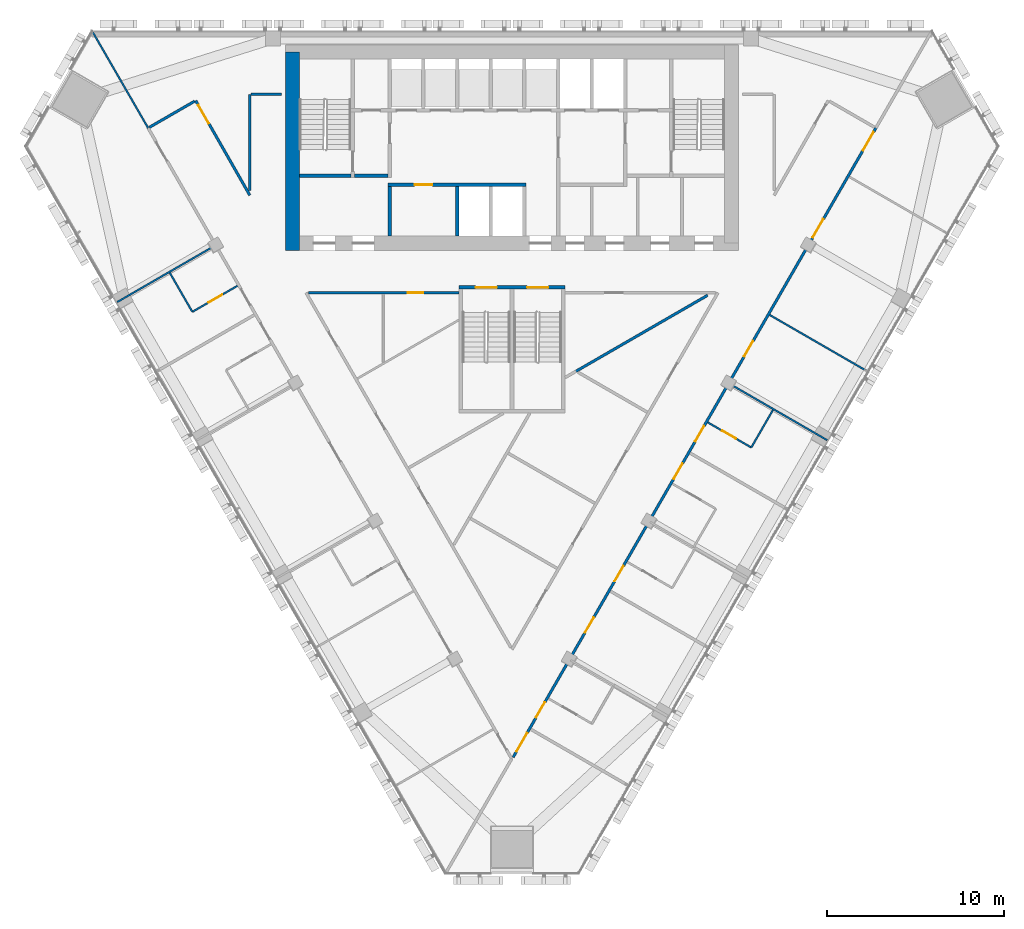
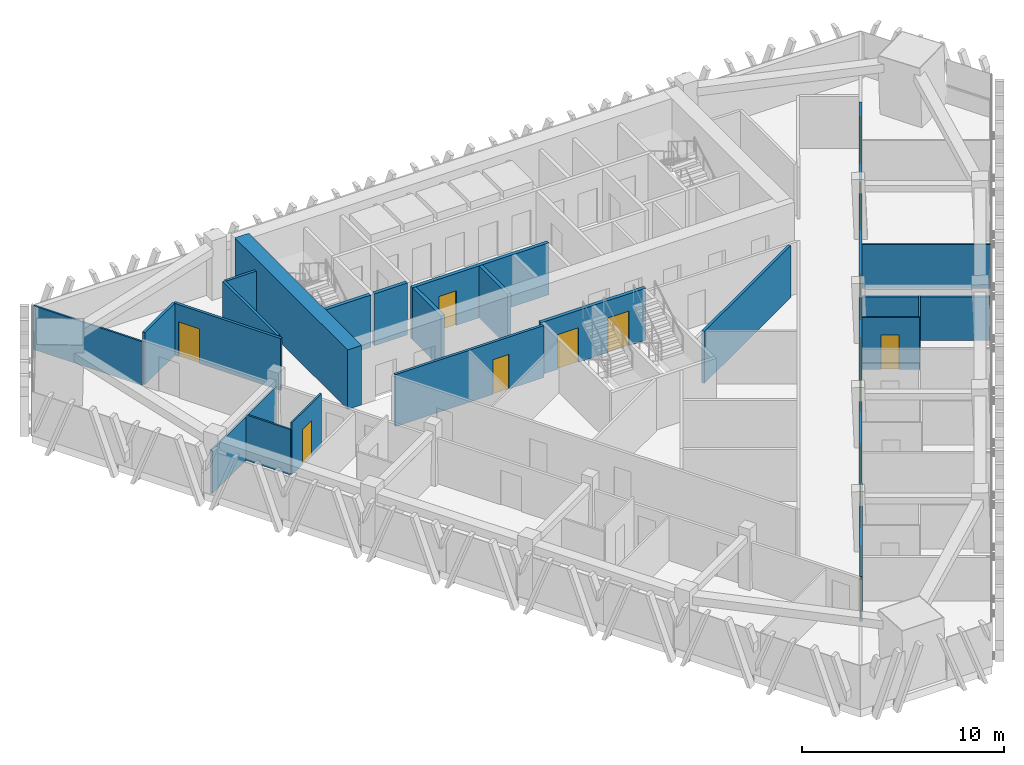
# One storey, part 10 of 15: 22 walls, 16 doors, 16 openings.
"""IFC4 building model written with IfcOpenShell, lengths in metres."""

from ifc_helpers import new_model, si_unit, direction, frame, frame_2d, origin, place, context, subcontext, project, spatial, rectangle, extrude, material, layer, layer_set, type_object, element, fill, save


model = new_model("IFC4")

# Units and contexts
model_context = context("Model", 3, precision=1e-05, world=origin(), true_north=direction((0.0, 1.0)))
body_context = subcontext(model_context, "Body", "Model", "MODEL_VIEW")
ifc_project = project(units=[si_unit("LENGTHUNIT", "METRE"), si_unit("AREAUNIT", "SQUARE_METRE"), si_unit("VOLUMEUNIT", "CUBIC_METRE"), si_unit("PLANEANGLEUNIT", "RADIAN"), si_unit("MASSUNIT", "GRAM", prefix="KILO")], contexts=[model_context])

# Site, building, storey
site_placement = place(None, origin())
site = spatial("IfcSite", under=ifc_project, at=site_placement, CompositionType="ELEMENT")
building_placement = place(site_placement, origin())
building = spatial("IfcBuilding", under=site, at=building_placement, Name="Altiplano Prism Tower", CompositionType="ELEMENT")
storey_placement = place(building_placement, frame((0.0, 0.0, 142.199951171875)))
storey = spatial("IfcBuildingStorey", under=building, at=storey_placement, Name="L36", CompositionType="ELEMENT", Elevation=142.199951171875)

# Wall
ifc_material_1 = material(Name="Concrete C60/75", Category="concrete")
ifc_layer_1 = layer(ifc_material_1, 0.800048828125)
ifc_layer_set_1 = layer_set([ifc_layer_1], Name="Concrete C60/75")
wall_type_1 = type_object("IfcWallType", Name="Core wall 800", PredefinedType="SHEAR", material=ifc_layer_set_1)
wall_1_placement = place(storey_placement, frame((72.60009765625, 103.800048828125, 0.0), z_axis=(0.0, 0.0, 1.0), x_axis=(0.0, -1.0, 0.0)))
element("IfcWall", 1, at=wall_1_placement, inside=storey, type_object=wall_type_1, Name="Core wall W L36", PredefinedType="SHEAR", context=body_context, shape_type="SweptSolid", body=[
    extrude(rectangle(XDim=11.199951171875, YDim=0.800048828125, at=frame_2d((5.60009765625, 0.0))), origin(), (0.0, 0.0, 1.0), 3.60009765625),
])

# Wall, opening, door
ifc_material_2 = material(Name="Plasterboard on steel stud", Category="steel")
ifc_layer_2 = layer(ifc_material_2, 0.10009765625)
ifc_layer_set_2 = layer_set([ifc_layer_2], Name="Plasterboard on steel stud")
wall_type_2 = type_object("IfcWallType", Name="Partition 100 unit", PredefinedType="PARTITIONING", material=ifc_layer_set_2)
wall_2_placement = place(storey_placement, frame((69.5048828125, 90.595947265625, 0.0), z_axis=(0.0, 0.0, 1.0), x_axis=(-0.865995096467, -0.50005249014, 0.0)))
wall_2 = element("IfcWall", 2, at=wall_2_placement, inside=storey, type_object=wall_type_2, Name="Partition P02 L36 022", PredefinedType="PARTITIONING", context=body_context, shape_type="SweptSolid", body=[
    extrude(rectangle(XDim=2.945556640625, YDim=0.10009765625, at=frame_2d((1.47265625, 0.0))), origin(), (0.0, 0.0, 1.0), 3.150146484375),
])
opening_1_placement = place(wall_2_placement, frame((0.9951171875, 0.0, 0.0)))
opening_1 = element("IfcOpeningElement", 3, at=opening_1_placement, cuts=wall_2, Name="Opening D1302", PredefinedType="OPENING", context=body_context, shape_type="SweptSolid", body=[
    extrude(rectangle(XDim=0.89990234375, YDim=2.10009765625, at=frame_2d((0.449951171875, 1.050048828125))), frame((0.0, 0.060546875, 0.0), z_axis=(0.0, -1.0, 0.0), x_axis=(1.0, 0.0, 0.0)), (0.0, 0.0, 1.0), 0.12109375),
])
ifc_material_3 = material(Name="Timber", Category="wood")
door_type_1 = type_object("IfcDoorType", Name="Ensuite door 900 x 2100", OperationType="NOTDEFINED", PredefinedType="NOTDEFINED", material=ifc_material_3)
door_1_placement = place(opening_1_placement, origin())
door_1 = element("IfcDoor", 4, at=door_1_placement, inside=storey, type_object=door_type_1, Name="Door D1302", OperationType="SINGLE_SWING_RIGHT", OverallHeight=2.10009765625, OverallWidth=0.89990234375, PredefinedType="NOTDEFINED", context=body_context, shape_type="SweptSolid", body=[
    extrude(rectangle(XDim=0.89990234375, YDim=2.10009765625, at=frame_2d((0.449951171875, 1.050048828125))), frame((0.0, 0.02490234375, 0.0), z_axis=(0.0, -1.0, 0.0), x_axis=(1.0, 0.0, 0.0)), (0.0, 0.0, 1.0), 0.050048828125),
])
fill(opening_1, door_1)

# Walls
wall_3_placement = place(storey_placement, frame((66.9541015625, 89.123046875, 0.0), z_axis=(0.0, 0.0, 1.0), x_axis=(-0.499948979701, 0.866054858364, 0.0)))
element("IfcWall", 5, at=wall_3_placement, inside=storey, type_object=wall_type_2, Name="Partition P02 L36 023", PredefinedType="PARTITIONING", context=body_context, shape_type="SweptSolid", body=[
    extrude(rectangle(XDim=2.550048828125, YDim=0.10009765625, at=frame_2d((1.27490234375, 0.0))), origin(), (0.0, 0.0, 1.0), 2.75),
])
wall_4_placement = place(storey_placement, frame((99.734130859375, 83.58740234375, 0.0), z_axis=(0.0, 0.0, 1.0), x_axis=(-0.499943856944, -0.866057815567, 0.0)))
element("IfcWall", 6, at=wall_4_placement, inside=storey, type_object=wall_type_2, Name="Partition P02 L36 047", PredefinedType="PARTITIONING", context=body_context, shape_type="SweptSolid", body=[
    extrude(rectangle(XDim=2.449951171875, YDim=0.10009765625, at=frame_2d((1.22509765625, 0.0))), origin(), (0.0, 0.0, 1.0), 2.75),
])

# Wall, opening, door
wall_5_placement = place(storey_placement, frame((98.50927734375, 81.465576171875, 0.0), z_axis=(0.0, 0.0, 1.0), x_axis=(-0.866049574308, 0.499958133088, 0.0)))
wall_5 = element("IfcWall", 7, at=wall_5_placement, inside=storey, type_object=wall_type_2, Name="Partition P02 L36 048", PredefinedType="PARTITIONING", context=body_context, shape_type="SweptSolid", body=[
    extrude(rectangle(XDim=2.839599609375, YDim=0.10009765625, at=frame_2d((1.419921875, 0.0))), origin(), (0.0, 0.0, 1.0), 3.150146484375),
])
opening_2_placement = place(wall_5_placement, frame((1.0, 0.0, 0.0)))
opening_2 = element("IfcOpeningElement", 8, at=opening_2_placement, cuts=wall_5, Name="Opening D1319", PredefinedType="OPENING", context=body_context, shape_type="SweptSolid", body=[
    extrude(rectangle(XDim=0.89990234375, YDim=2.10009765625, at=frame_2d((0.449951171875, 1.050048828125))), frame((0.0, 0.060546875, 0.0), z_axis=(0.0, -1.0, 0.0), x_axis=(1.0, 0.0, 0.0)), (0.0, 0.0, 1.0), 0.12109375),
])
door_2_placement = place(opening_2_placement, origin())
door_2 = element("IfcDoor", 9, at=door_2_placement, inside=storey, type_object=door_type_1, Name="Door D1319", OperationType="SINGLE_SWING_LEFT", OverallHeight=2.10009765625, OverallWidth=0.89990234375, PredefinedType="NOTDEFINED", context=body_context, shape_type="SweptSolid", body=[
    extrude(rectangle(XDim=0.89990234375, YDim=2.10009765625, at=frame_2d((0.449951171875, 1.050048828125))), frame((0.0, 0.02490234375, 0.0), z_axis=(0.0, -1.0, 0.0), x_axis=(1.0, 0.0, 0.0)), (0.0, 0.0, 1.0), 0.050048828125),
])
fill(opening_2, door_2)

# Walls
ifc_layer_3 = layer(ifc_material_2, 0.10009765625)
ifc_layer_set_3 = layer_set([ifc_layer_3], Name="Plasterboard on steel stud")
wall_type_3 = type_object("IfcWallType", Name="Partition 100 wet", PredefinedType="PARTITIONING", material=ifc_layer_set_3)
wall_6_placement = place(storey_placement, frame((62.709716796875, 89.6748046875, 0.0), z_axis=(0.0, 0.0, 1.0), x_axis=(0.866026091839, 0.499998808253, 0.0)))
element("IfcWall", 10, at=wall_6_placement, inside=storey, type_object=wall_type_3, Name="Partition P03 L36 020", PredefinedType="PARTITIONING", context=body_context, shape_type="SweptSolid", body=[
    extrude(rectangle(XDim=6.34716796875, YDim=0.10009765625, at=frame_2d((3.173583984375, 0.0))), origin(), (0.0, 0.0, 1.0), 2.650146484375),
])
wall_7_placement = place(storey_placement, frame((64.458251953125, 99.5009765625, 0.0), z_axis=(0.0, 0.0, 1.0), x_axis=(-0.500013984911, 0.866017329442, 0.0)))
element("IfcWall", 11, at=wall_7_placement, inside=storey, type_object=wall_type_3, Name="Partition P03 L36 021", PredefinedType="PARTITIONING", context=body_context, shape_type="SweptSolid", body=[
    extrude(rectangle(XDim=6.234130859375, YDim=0.10009765625, at=frame_2d((3.1171875, 0.0))), origin(), (0.0, 0.0, 1.0), 2.650146484375),
])
wall_8_placement = place(storey_placement, frame((102.790283203125, 81.880615234375, 0.0), z_axis=(0.0, 0.0, 1.0), x_axis=(-0.866024019333, 0.500002397932, 0.0)))
element("IfcWall", 12, at=wall_8_placement, inside=storey, type_object=wall_type_3, Name="Partition P03 L36 049", PredefinedType="PARTITIONING", context=body_context, shape_type="SweptSolid", body=[
    extrude(rectangle(XDim=6.34130859375, YDim=0.10009765625, at=frame_2d((3.170654296875, 0.0))), origin(), (0.0, 0.0, 1.0), 2.650146484375),
])
wall_9_placement = place(storey_placement, frame((105.057861328125, 85.767578125, 0.0), z_axis=(0.0, 0.0, 1.0), x_axis=(-0.866029717158, 0.499992528944, 0.0)))
element("IfcWall", 13, at=wall_9_placement, inside=storey, type_object=wall_type_3, Name="Partition P03 L36 050", PredefinedType="PARTITIONING", context=body_context, shape_type="SweptSolid", body=[
    extrude(rectangle(XDim=6.3642578125, YDim=0.10009765625, at=frame_2d((3.18212890625, 0.0))), origin(), (0.0, 0.0, 1.0), 2.650146484375),
])

# Wall, opening, door
ifc_layer_4 = layer(ifc_material_2, 0.14990234375)
ifc_layer_set_4 = layer_set([ifc_layer_4], Name="Plasterboard on steel stud")
wall_type_4 = type_object("IfcWallType", Name="Partition 150 corridor", PredefinedType="PARTITIONING", material=ifc_layer_set_4)
wall_10_placement = place(storey_placement, frame((73.5078125, 90.198974609375, 0.0), z_axis=(0.0, 0.0, 1.0), x_axis=(1.0, 0.0, 0.0)))
wall_10 = element("IfcWall", 14, at=wall_10_placement, inside=storey, type_object=wall_type_4, Name="Partition P06 L36 001", PredefinedType="PARTITIONING", context=body_context, shape_type="SweptSolid", body=[
    extrude(rectangle(XDim=8.4921875, YDim=0.14990234375, at=frame_2d((4.24609375, 0.0))), origin(), (0.0, 0.0, 1.0), 3.150146484375),
])
opening_3_placement = place(wall_10_placement, frame((5.593017578125, 0.0, 0.0)))
opening_3 = element("IfcOpeningElement", 15, at=opening_3_placement, cuts=wall_10, Name="Opening D1296", PredefinedType="OPENING", context=body_context, shape_type="SweptSolid", body=[
    extrude(rectangle(XDim=0.89990234375, YDim=2.10009765625, at=frame_2d((0.449951171875, 1.050048828125))), frame((0.0, 0.08544921875, 0.0), z_axis=(0.0, -1.0, 0.0), x_axis=(1.0, 0.0, 0.0)), (0.0, 0.0, 1.0), 0.1708984375),
])
door_type_2 = type_object("IfcDoorType", Name="Toilet door 900 x 2100", OperationType="NOTDEFINED", PredefinedType="NOTDEFINED", material=ifc_material_3)
door_3_placement = place(opening_3_placement, origin())
door_3 = element("IfcDoor", 16, at=door_3_placement, inside=storey, type_object=door_type_2, Name="Door D1296", OperationType="SINGLE_SWING_RIGHT", OverallHeight=2.10009765625, OverallWidth=0.89990234375, PredefinedType="NOTDEFINED", context=body_context, shape_type="SweptSolid", body=[
    extrude(rectangle(XDim=0.89990234375, YDim=2.10009765625, at=frame_2d((0.449951171875, 1.050048828125))), frame((0.0, 0.02490234375, 0.0), z_axis=(0.0, -1.0, 0.0), x_axis=(1.0, 0.0, 0.0)), (0.0, 0.0, 1.0), 0.050048828125),
])
fill(opening_3, door_3)

# Wall, openings, doors
wall_11_placement = place(storey_placement, frame((85.06494140625, 63.979736328125, 0.0), z_axis=(0.0, 0.0, 1.0), x_axis=(0.499427357949, 0.866355766491, 0.0)))
wall_11 = element("IfcWall", 17, at=wall_11_placement, inside=storey, type_object=wall_type_4, Name="Partition P06 L36 005", PredefinedType="PARTITIONING", context=body_context, shape_type="SweptSolid", body=[
    extrude(rectangle(XDim=41.01953125, YDim=0.14990234375, at=frame_2d((20.509765625, 0.0))), origin(), (0.0, 0.0, 1.0), 2.75),
])
opening_4_placement = place(wall_11_placement, frame((0.382080078125, 0.0, 0.0)))
opening_4 = element("IfcOpeningElement", 18, at=opening_4_placement, cuts=wall_11, Name="Opening D1310", PredefinedType="OPENING", context=body_context, shape_type="SweptSolid", body=[
    extrude(rectangle(XDim=1.199951171875, YDim=2.10009765625, at=frame_2d((0.60009765625, 1.050048828125))), frame((0.0, 0.08544921875, 0.0), z_axis=(0.0, -1.0, 0.0), x_axis=(1.0, 0.0, 0.0)), (0.0, 0.0, 1.0), 0.1708984375),
])
opening_5_placement = place(wall_11_placement, frame((2.5830078125, 0.0, 0.0)))
opening_5 = element("IfcOpeningElement", 19, at=opening_5_placement, cuts=wall_11, Name="Opening D1311", PredefinedType="OPENING", context=body_context, shape_type="SweptSolid", body=[
    extrude(rectangle(XDim=1.0, YDim=2.10009765625, at=frame_2d((0.5, 1.050048828125))), frame((0.0, 0.08544921875, 0.0), z_axis=(0.0, -1.0, 0.0), x_axis=(1.0, 0.0, 0.0)), (0.0, 0.0, 1.0), 0.1708984375),
])
opening_6_placement = place(wall_11_placement, frame((8.113037109375, 0.0, 0.0)))
opening_6 = element("IfcOpeningElement", 20, at=opening_6_placement, cuts=wall_11, Name="Opening D1313", PredefinedType="OPENING", context=body_context, shape_type="SweptSolid", body=[
    extrude(rectangle(XDim=1.0, YDim=2.10009765625, at=frame_2d((0.5, 1.050048828125))), frame((0.0, 0.08544921875, 0.0), z_axis=(0.0, -1.0, 0.0), x_axis=(1.0, 0.0, 0.0)), (0.0, 0.0, 1.0), 0.1708984375),
])
opening_7_placement = place(wall_11_placement, frame((11.467041015625, 0.0, 0.0)))
opening_7 = element("IfcOpeningElement", 21, at=opening_7_placement, cuts=wall_11, Name="Opening D1314", PredefinedType="OPENING", context=body_context, shape_type="SweptSolid", body=[
    extrude(rectangle(XDim=1.0, YDim=2.10009765625, at=frame_2d((0.5, 1.050048828125))), frame((0.0, 0.08544921875, 0.0), z_axis=(0.0, -1.0, 0.0), x_axis=(1.0, 0.0, 0.0)), (0.0, 0.0, 1.0), 0.1708984375),
])
opening_8_placement = place(wall_11_placement, frame((18.14208984375, 0.0, 0.0)))
opening_8 = element("IfcOpeningElement", 22, at=opening_8_placement, cuts=wall_11, Name="Opening D1316", PredefinedType="OPENING", context=body_context, shape_type="SweptSolid", body=[
    extrude(rectangle(XDim=1.0, YDim=2.10009765625, at=frame_2d((0.5, 1.050048828125))), frame((0.0, 0.08544921875, 0.0), z_axis=(0.0, -1.0, 0.0), x_axis=(1.0, 0.0, 0.0)), (0.0, 0.0, 1.0), 0.1708984375),
])
opening_9_placement = place(wall_11_placement, frame((20.5830078125, 0.0, 0.0)))
opening_9 = element("IfcOpeningElement", 23, at=opening_9_placement, cuts=wall_11, Name="Opening D1318", PredefinedType="OPENING", context=body_context, shape_type="SweptSolid", body=[
    extrude(rectangle(XDim=1.0, YDim=2.10009765625, at=frame_2d((0.5, 1.050048828125))), frame((0.0, 0.08544921875, 0.0), z_axis=(0.0, -1.0, 0.0), x_axis=(1.0, 0.0, 0.0)), (0.0, 0.0, 1.0), 0.1708984375),
])
opening_10_placement = place(wall_11_placement, frame((26.113037109375, 0.0, 0.0)))
opening_10 = element("IfcOpeningElement", 24, at=opening_10_placement, cuts=wall_11, Name="Opening D1320", PredefinedType="OPENING", context=body_context, shape_type="SweptSolid", body=[
    extrude(rectangle(XDim=1.0, YDim=2.10009765625, at=frame_2d((0.5, 1.050048828125))), frame((0.0, 0.08544921875, 0.0), z_axis=(0.0, -1.0, 0.0), x_axis=(1.0, 0.0, 0.0)), (0.0, 0.0, 1.0), 0.1708984375),
])
opening_11_placement = place(wall_11_placement, frame((33.863037109375, 0.0, 0.0)))
opening_11 = element("IfcOpeningElement", 25, at=opening_11_placement, cuts=wall_11, Name="Opening D1321", PredefinedType="OPENING", context=body_context, shape_type="SweptSolid", body=[
    extrude(rectangle(XDim=1.199951171875, YDim=2.10009765625, at=frame_2d((0.60009765625, 1.050048828125))), frame((0.0, 0.08544921875, 0.0), z_axis=(0.0, -1.0, 0.0), x_axis=(1.0, 0.0, 0.0)), (0.0, 0.0, 1.0), 0.1708984375),
])
opening_12_placement = place(wall_11_placement, frame((39.544921875, 0.0, 0.0)))
opening_12 = element("IfcOpeningElement", 26, at=opening_12_placement, cuts=wall_11, Name="Opening D1322", PredefinedType="OPENING", context=body_context, shape_type="SweptSolid", body=[
    extrude(rectangle(XDim=1.199951171875, YDim=2.10009765625, at=frame_2d((0.60009765625, 1.050048828125))), frame((0.0, 0.08544921875, 0.0), z_axis=(0.0, -1.0, 0.0), x_axis=(1.0, 0.0, 0.0)), (0.0, 0.0, 1.0), 0.1708984375),
])
door_type_3 = type_object("IfcDoorType", Name="Bedroom entrance door 1000 x 2100", OperationType="NOTDEFINED", PredefinedType="NOTDEFINED", material=ifc_material_3)
door_4_placement = place(opening_5_placement, origin())
door_4 = element("IfcDoor", 27, at=door_4_placement, inside=storey, type_object=door_type_3, Name="Door D1311", OperationType="SINGLE_SWING_RIGHT", OverallHeight=2.10009765625, OverallWidth=1.0, PredefinedType="NOTDEFINED", context=body_context, shape_type="SweptSolid", body=[
    extrude(rectangle(XDim=1.0, YDim=2.10009765625, at=frame_2d((0.5, 1.050048828125))), frame((0.0, 0.02490234375, 0.0), z_axis=(0.0, -1.0, 0.0), x_axis=(1.0, 0.0, 0.0)), (0.0, 0.0, 1.0), 0.050048828125),
])
fill(opening_5, door_4)
door_5_placement = place(opening_7_placement, origin())
door_5 = element("IfcDoor", 28, at=door_5_placement, inside=storey, type_object=door_type_3, Name="Door D1314", OperationType="SINGLE_SWING_LEFT", OverallHeight=2.10009765625, OverallWidth=1.0, PredefinedType="NOTDEFINED", context=body_context, shape_type="SweptSolid", body=[
    extrude(rectangle(XDim=1.0, YDim=2.10009765625, at=frame_2d((0.5, 1.050048828125))), frame((0.0, 0.02490234375, 0.0), z_axis=(0.0, -1.0, 0.0), x_axis=(1.0, 0.0, 0.0)), (0.0, 0.0, 1.0), 0.050048828125),
])
fill(opening_7, door_5)
door_6_placement = place(opening_8_placement, origin())
door_6 = element("IfcDoor", 29, at=door_6_placement, inside=storey, type_object=door_type_3, Name="Door D1316", OperationType="SINGLE_SWING_LEFT", OverallHeight=2.10009765625, OverallWidth=1.0, PredefinedType="NOTDEFINED", context=body_context, shape_type="SweptSolid", body=[
    extrude(rectangle(XDim=1.0, YDim=2.10009765625, at=frame_2d((0.5, 1.050048828125))), frame((0.0, 0.02490234375, 0.0), z_axis=(0.0, -1.0, 0.0), x_axis=(1.0, 0.0, 0.0)), (0.0, 0.0, 1.0), 0.050048828125),
])
fill(opening_8, door_6)
door_7_placement = place(opening_9_placement, origin())
door_7 = element("IfcDoor", 30, at=door_7_placement, inside=storey, type_object=door_type_3, Name="Door D1318", OperationType="SINGLE_SWING_LEFT", OverallHeight=2.10009765625, OverallWidth=1.0, PredefinedType="NOTDEFINED", context=body_context, shape_type="SweptSolid", body=[
    extrude(rectangle(XDim=1.0, YDim=2.10009765625, at=frame_2d((0.5, 1.050048828125))), frame((0.0, 0.02490234375, 0.0), z_axis=(0.0, -1.0, 0.0), x_axis=(1.0, 0.0, 0.0)), (0.0, 0.0, 1.0), 0.050048828125),
])
fill(opening_9, door_7)
door_type_4 = type_object("IfcDoorType", Name="Room door 1000 x 2100", OperationType="NOTDEFINED", PredefinedType="NOTDEFINED", material=ifc_material_3)
door_8_placement = place(opening_6_placement, origin())
door_8 = element("IfcDoor", 31, at=door_8_placement, inside=storey, type_object=door_type_4, Name="Door D1313", OperationType="SINGLE_SWING_LEFT", OverallHeight=2.10009765625, OverallWidth=1.0, PredefinedType="NOTDEFINED", context=body_context, shape_type="SweptSolid", body=[
    extrude(rectangle(XDim=1.0, YDim=2.10009765625, at=frame_2d((0.5, 1.050048828125))), frame((0.0, 0.02490234375, 0.0), z_axis=(0.0, -1.0, 0.0), x_axis=(1.0, 0.0, 0.0)), (0.0, 0.0, 1.0), 0.050048828125),
])
fill(opening_6, door_8)
door_9_placement = place(opening_10_placement, origin())
door_9 = element("IfcDoor", 32, at=door_9_placement, inside=storey, type_object=door_type_4, Name="Door D1320", OperationType="SINGLE_SWING_RIGHT", OverallHeight=2.10009765625, OverallWidth=1.0, PredefinedType="NOTDEFINED", context=body_context, shape_type="SweptSolid", body=[
    extrude(rectangle(XDim=1.0, YDim=2.10009765625, at=frame_2d((0.5, 1.050048828125))), frame((0.0, 0.02490234375, 0.0), z_axis=(0.0, -1.0, 0.0), x_axis=(1.0, 0.0, 0.0)), (0.0, 0.0, 1.0), 0.050048828125),
])
fill(opening_10, door_9)
door_type_5 = type_object("IfcDoorType", Name="Shared room door 1200 x 2100", OperationType="NOTDEFINED", PredefinedType="NOTDEFINED", material=ifc_material_3)
door_10_placement = place(opening_4_placement, origin())
door_10 = element("IfcDoor", 33, at=door_10_placement, inside=storey, type_object=door_type_5, Name="Door D1310", OperationType="SINGLE_SWING_RIGHT", OverallHeight=2.10009765625, OverallWidth=1.199951171875, PredefinedType="NOTDEFINED", context=body_context, shape_type="SweptSolid", body=[
    extrude(rectangle(XDim=1.199951171875, YDim=2.10009765625, at=frame_2d((0.60009765625, 1.050048828125))), frame((0.0, 0.02490234375, 0.0), z_axis=(0.0, -1.0, 0.0), x_axis=(1.0, 0.0, 0.0)), (0.0, 0.0, 1.0), 0.050048828125),
])
fill(opening_4, door_10)
door_11_placement = place(opening_11_placement, origin())
door_11 = element("IfcDoor", 34, at=door_11_placement, inside=storey, type_object=door_type_5, Name="Door D1321", OperationType="SINGLE_SWING_RIGHT", OverallHeight=2.10009765625, OverallWidth=1.199951171875, PredefinedType="NOTDEFINED", context=body_context, shape_type="SweptSolid", body=[
    extrude(rectangle(XDim=1.199951171875, YDim=2.10009765625, at=frame_2d((0.60009765625, 1.050048828125))), frame((0.0, 0.02490234375, 0.0), z_axis=(0.0, -1.0, 0.0), x_axis=(1.0, 0.0, 0.0)), (0.0, 0.0, 1.0), 0.050048828125),
])
fill(opening_11, door_11)
door_12_placement = place(opening_12_placement, origin())
door_12 = element("IfcDoor", 35, at=door_12_placement, inside=storey, type_object=door_type_5, Name="Door D1322", OperationType="SINGLE_SWING_RIGHT", OverallHeight=2.10009765625, OverallWidth=1.199951171875, PredefinedType="NOTDEFINED", context=body_context, shape_type="SweptSolid", body=[
    extrude(rectangle(XDim=1.199951171875, YDim=2.10009765625, at=frame_2d((0.60009765625, 1.050048828125))), frame((0.0, 0.02490234375, 0.0), z_axis=(0.0, -1.0, 0.0), x_axis=(1.0, 0.0, 0.0)), (0.0, 0.0, 1.0), 0.050048828125),
])
fill(opening_12, door_12)

# Walls
wall_12_placement = place(storey_placement, frame((72.0, 101.40087890625, 0.0), z_axis=(0.0, 0.0, 1.0), x_axis=(-0.999999959988, -0.00028288542, 0.0)))
element("IfcWall", 36, at=wall_12_placement, inside=storey, type_object=wall_type_4, Name="Partition P06 L36 010", PredefinedType="PARTITIONING", context=body_context, shape_type="SweptSolid", body=[
    extrude(rectangle(XDim=1.72607421875, YDim=0.14990234375, at=frame_2d((0.863037109375, 0.0))), origin(), (0.0, 0.0, 1.0), 3.150146484375),
])
wall_13_placement = place(storey_placement, frame((70.198974609375, 101.400390625, 0.0), z_axis=(0.0, 0.0, 1.0), x_axis=(0.0, -1.0, 0.0)))
element("IfcWall", 37, at=wall_13_placement, inside=storey, type_object=wall_type_4, Name="Partition P06 L36 011", PredefinedType="PARTITIONING", context=body_context, shape_type="SweptSolid", body=[
    extrude(rectangle(XDim=5.4130859375, YDim=0.14990234375, at=frame_2d((2.70654296875, 0.0))), origin(), (0.0, 0.0, 1.0), 3.150146484375),
])

# Wall, opening, door
wall_14_placement = place(storey_placement, frame((70.198974609375, 95.705078125, 0.0), z_axis=(0.0, 0.0, 1.0), x_axis=(-0.496198719424, 0.868208978784, 0.0)))
wall_14 = element("IfcWall", 38, at=wall_14_placement, inside=storey, type_object=wall_type_4, Name="Partition P06 L36 012", PredefinedType="PARTITIONING", context=body_context, shape_type="SweptSolid", body=[
    extrude(rectangle(XDim=6.1572265625, YDim=0.14990234375, at=frame_2d((3.07861328125, 0.0))), origin(), (0.0, 0.0, 1.0), 3.150146484375),
])
opening_13_placement = place(wall_14_placement, frame((4.6630859375, 0.0, 0.0)))
opening_13 = element("IfcOpeningElement", 39, at=opening_13_placement, cuts=wall_14, Name="Opening D1324", PredefinedType="OPENING", context=body_context, shape_type="SweptSolid", body=[
    extrude(rectangle(XDim=1.199951171875, YDim=2.10009765625, at=frame_2d((0.60009765625, 1.050048828125))), frame((0.0, 0.08544921875, 0.0), z_axis=(0.0, -1.0, 0.0), x_axis=(1.0, 0.0, 0.0)), (0.0, 0.0, 1.0), 0.1708984375),
])
door_13_placement = place(opening_13_placement, origin())
door_13 = element("IfcDoor", 40, at=door_13_placement, inside=storey, type_object=door_type_5, Name="Door D1324", OperationType="SINGLE_SWING_LEFT", OverallHeight=2.10009765625, OverallWidth=1.199951171875, PredefinedType="NOTDEFINED", context=body_context, shape_type="SweptSolid", body=[
    extrude(rectangle(XDim=1.199951171875, YDim=2.10009765625, at=frame_2d((0.60009765625, 1.050048828125))), frame((0.0, 0.02490234375, 0.0), z_axis=(0.0, -1.0, 0.0), x_axis=(1.0, 0.0, 0.0)), (0.0, 0.0, 1.0), 0.050048828125),
])
fill(opening_13, door_13)

# Walls
wall_15_placement = place(storey_placement, frame((67.07861328125, 101.01318359375, 0.0), z_axis=(0.0, 0.0, 1.0), x_axis=(-0.866101542152, -0.499868101284, 0.0)))
element("IfcWall", 41, at=wall_15_placement, inside=storey, type_object=wall_type_4, Name="Partition P06 L36 013", PredefinedType="PARTITIONING", context=body_context, shape_type="SweptSolid", body=[
    extrude(rectangle(XDim=2.950439453125, YDim=0.14990234375, at=frame_2d((1.47509765625, 0.0))), origin(), (0.0, 0.0, 1.0), 3.150146484375),
])
ifc_layer_5 = layer(ifc_material_2, 0.14990234375)
ifc_layer_set_5 = layer_set([ifc_layer_5], Name="Plasterboard on steel stud")
wall_type_5 = type_object("IfcWallType", Name="Partition 150 party", PredefinedType="PARTITIONING", material=ifc_layer_set_5)
wall_16_placement = place(storey_placement, frame((96.042724609375, 90.05908203125, 0.0), z_axis=(0.0, 0.0, 1.0), x_axis=(-0.86602320337, -0.50000381121, 0.0)))
element("IfcWall", 42, at=wall_16_placement, inside=storey, type_object=wall_type_5, Name="Partition P01 L36 017", PredefinedType="PARTITIONING", context=body_context, shape_type="SweptSolid", body=[
    extrude(rectangle(XDim=8.587890625, YDim=0.14990234375, at=frame_2d((4.2939453125, 0.0))), origin(), (0.0, 0.0, 1.0), 3.150146484375),
])
ifc_layer_6 = layer(ifc_material_1, 0.199951171875)
ifc_layer_set_6 = layer_set([ifc_layer_6], Name="Concrete C60/75")
wall_type_6 = type_object("IfcWallType", Name="Shaft wall 200", PredefinedType="SOLIDWALL", material=ifc_layer_set_6)
wall_17_placement = place(storey_placement, frame((81.89990234375, 93.39990234375, 0.0), z_axis=(0.0, 0.0, 1.0), x_axis=(0.0, 1.0, 0.0)))
element("IfcWall", 43, at=wall_17_placement, inside=storey, type_object=wall_type_6, Name="Shaft wall L36", PredefinedType="SOLIDWALL", context=body_context, shape_type="SweptSolid", body=[
    extrude(rectangle(XDim=2.800048828125, YDim=0.199951171875, at=frame_2d((1.39990234375, 0.0))), origin(), (0.0, 0.0, 1.0), 3.150146484375),
])

# Wall, opening, door
wall_18_placement = place(storey_placement, frame((78.0, 96.300048828125, 0.0), z_axis=(0.0, 0.0, 1.0), x_axis=(1.0, 0.0, 0.0)))
wall_18 = element("IfcWall", 44, at=wall_18_placement, inside=storey, type_object=wall_type_6, Name="Shaft wall L36", PredefinedType="SOLIDWALL", context=body_context, shape_type="SweptSolid", body=[
    extrude(rectangle(XDim=7.800048828125, YDim=0.199951171875, at=frame_2d((3.89990234375, 0.0))), origin(), (0.0, 0.0, 1.0), 3.150146484375),
])
opening_14_placement = place(wall_18_placement, frame((1.5, 0.0, 0.0)))
opening_14 = element("IfcOpeningElement", 45, at=opening_14_placement, cuts=wall_18, Name="Opening D3081", PredefinedType="OPENING", context=body_context, shape_type="SweptSolid", body=[
    extrude(rectangle(XDim=1.0, YDim=2.10009765625, at=frame_2d((0.5, 1.050048828125))), frame((0.0, 0.1103515625, 0.0), z_axis=(0.0, -1.0, 0.0), x_axis=(1.0, 0.0, 0.0)), (0.0, 0.0, 1.0), 0.220947265625),
])
ifc_material_4 = material(Name="Fire-rated steel door", Category="steel")
door_type_6 = type_object("IfcDoorType", Name="Core room door 1000 x 2100", OperationType="NOTDEFINED", PredefinedType="NOTDEFINED", material=ifc_material_4)
door_14_placement = place(opening_14_placement, origin())
door_14 = element("IfcDoor", 46, at=door_14_placement, inside=storey, type_object=door_type_6, Name="Core room door D3081", OperationType="SINGLE_SWING_RIGHT", OverallHeight=2.10009765625, OverallWidth=1.0, PredefinedType="NOTDEFINED", context=body_context, shape_type="SweptSolid", body=[
    extrude(rectangle(XDim=1.0, YDim=2.10009765625, at=frame_2d((0.5, 1.050048828125))), frame((0.0, 0.02490234375, 0.0), z_axis=(0.0, -1.0, 0.0), x_axis=(1.0, 0.0, 0.0)), (0.0, 0.0, 1.0), 0.050048828125),
])
fill(opening_14, door_14)

# Wall
ifc_layer_7 = layer(ifc_material_1, 0.199951171875)
ifc_layer_set_7 = layer_set([ifc_layer_7], Name="Concrete C60/75")
wall_type_7 = type_object("IfcWallType", Name="Stair wall 200", PredefinedType="SOLIDWALL", material=ifc_layer_set_7)
wall_19_placement = place(storey_placement, frame((73.0, 96.800048828125, 0.0), z_axis=(0.0, 0.0, 1.0), x_axis=(1.0, 0.0, 0.0)))
element("IfcWall", 47, at=wall_19_placement, inside=storey, type_object=wall_type_7, Name="Stair wall L36", PredefinedType="SOLIDWALL", context=body_context, shape_type="SweptSolid", body=[
    extrude(rectangle(XDim=2.89990234375, YDim=0.199951171875, at=frame_2d((1.449951171875, 0.0))), origin(), (0.0, 0.0, 1.0), 3.150146484375),
])

# Wall, openings, doors
wall_20_placement = place(storey_placement, frame((82.0, 90.5, 0.0), z_axis=(0.0, 0.0, 1.0), x_axis=(1.0, 0.0, 0.0)))
wall_20 = element("IfcWall", 48, at=wall_20_placement, inside=storey, type_object=wall_type_7, Name="Stair 3 wall north L36", PredefinedType="SOLIDWALL", context=body_context, shape_type="SweptSolid", body=[
    extrude(rectangle(XDim=6.0, YDim=0.199951171875, at=frame_2d((3.0, 0.0))), origin(), (0.0, 0.0, 1.0), 3.150146484375),
])
opening_15_placement = place(wall_20_placement, frame((0.949951171875, 0.0, 0.0)))
opening_15 = element("IfcOpeningElement", 49, at=opening_15_placement, cuts=wall_20, Name="Opening D3994", PredefinedType="OPENING", context=body_context, shape_type="SweptSolid", body=[
    extrude(rectangle(XDim=1.199951171875, YDim=2.10009765625, at=frame_2d((0.60009765625, 1.050048828125))), frame((0.0, 0.1103515625, 0.0), z_axis=(0.0, -1.0, 0.0), x_axis=(1.0, 0.0, 0.0)), (0.0, 0.0, 1.0), 0.220947265625),
])
opening_16_placement = place(wall_20_placement, frame((3.85009765625, 0.0, 0.0)))
opening_16 = element("IfcOpeningElement", 50, at=opening_16_placement, cuts=wall_20, Name="Opening D3995", PredefinedType="OPENING", context=body_context, shape_type="SweptSolid", body=[
    extrude(rectangle(XDim=1.199951171875, YDim=2.10009765625, at=frame_2d((0.60009765625, 1.050048828125))), frame((0.0, 0.1103515625, 0.0), z_axis=(0.0, -1.0, 0.0), x_axis=(1.0, 0.0, 0.0)), (0.0, 0.0, 1.0), 0.220947265625),
])
door_type_7 = type_object("IfcDoorType", Name="Stair fire door 1200 x 2100", OperationType="NOTDEFINED", PredefinedType="NOTDEFINED", material=ifc_material_4)
door_15_placement = place(opening_15_placement, origin())
door_15 = element("IfcDoor", 51, at=door_15_placement, inside=storey, type_object=door_type_7, Name="Stair fire door D3994", OperationType="SINGLE_SWING_LEFT", OverallHeight=2.10009765625, OverallWidth=1.199951171875, PredefinedType="NOTDEFINED", context=body_context, shape_type="SweptSolid", body=[
    extrude(rectangle(XDim=1.199951171875, YDim=2.10009765625, at=frame_2d((0.60009765625, 1.050048828125))), frame((0.0, 0.02490234375, 0.0), z_axis=(0.0, -1.0, 0.0), x_axis=(1.0, 0.0, 0.0)), (0.0, 0.0, 1.0), 0.050048828125),
])
fill(opening_15, door_15)
door_16_placement = place(opening_16_placement, origin())
door_16 = element("IfcDoor", 52, at=door_16_placement, inside=storey, type_object=door_type_7, Name="Stair fire door D3995", OperationType="SINGLE_SWING_LEFT", OverallHeight=2.10009765625, OverallWidth=1.199951171875, PredefinedType="NOTDEFINED", context=body_context, shape_type="SweptSolid", body=[
    extrude(rectangle(XDim=1.199951171875, YDim=2.10009765625, at=frame_2d((0.60009765625, 1.050048828125))), frame((0.0, 0.02490234375, 0.0), z_axis=(0.0, -1.0, 0.0), x_axis=(1.0, 0.0, 0.0)), (0.0, 0.0, 1.0), 0.050048828125),
])
fill(opening_16, door_16)

# Walls
ifc_layer_8 = layer(ifc_material_1, 0.199951171875)
ifc_layer_set_8 = layer_set([ifc_layer_8], Name="Concrete C60/75")
wall_type_8 = type_object("IfcWallType", Name="Vestibule wall 200", PredefinedType="PARTITIONING", material=ifc_layer_set_8)
wall_21_placement = place(storey_placement, frame((78.10009765625, 93.39990234375, 0.0), z_axis=(0.0, 0.0, 1.0), x_axis=(0.0, 1.0, 0.0)))
element("IfcWall", 53, at=wall_21_placement, inside=storey, type_object=wall_type_8, Name="Vestibule wall L36", PredefinedType="PARTITIONING", context=body_context, shape_type="SweptSolid", body=[
    extrude(rectangle(XDim=2.800048828125, YDim=0.199951171875, at=frame_2d((1.39990234375, 0.0))), origin(), (0.0, 0.0, 1.0), 3.150146484375),
])
wall_22_placement = place(storey_placement, frame((76.10009765625, 96.800048828125, 0.0), z_axis=(0.0, 0.0, 1.0), x_axis=(1.0, 0.0, 0.0)))
element("IfcWall", 54, at=wall_22_placement, inside=storey, type_object=wall_type_8, Name="Vestibule wall L36", PredefinedType="PARTITIONING", context=body_context, shape_type="SweptSolid", body=[
    extrude(rectangle(XDim=1.89990234375, YDim=0.199951171875, at=frame_2d((0.949951171875, 0.0))), origin(), (0.0, 0.0, 1.0), 3.150146484375),
])

save(model, "model.ifc")
